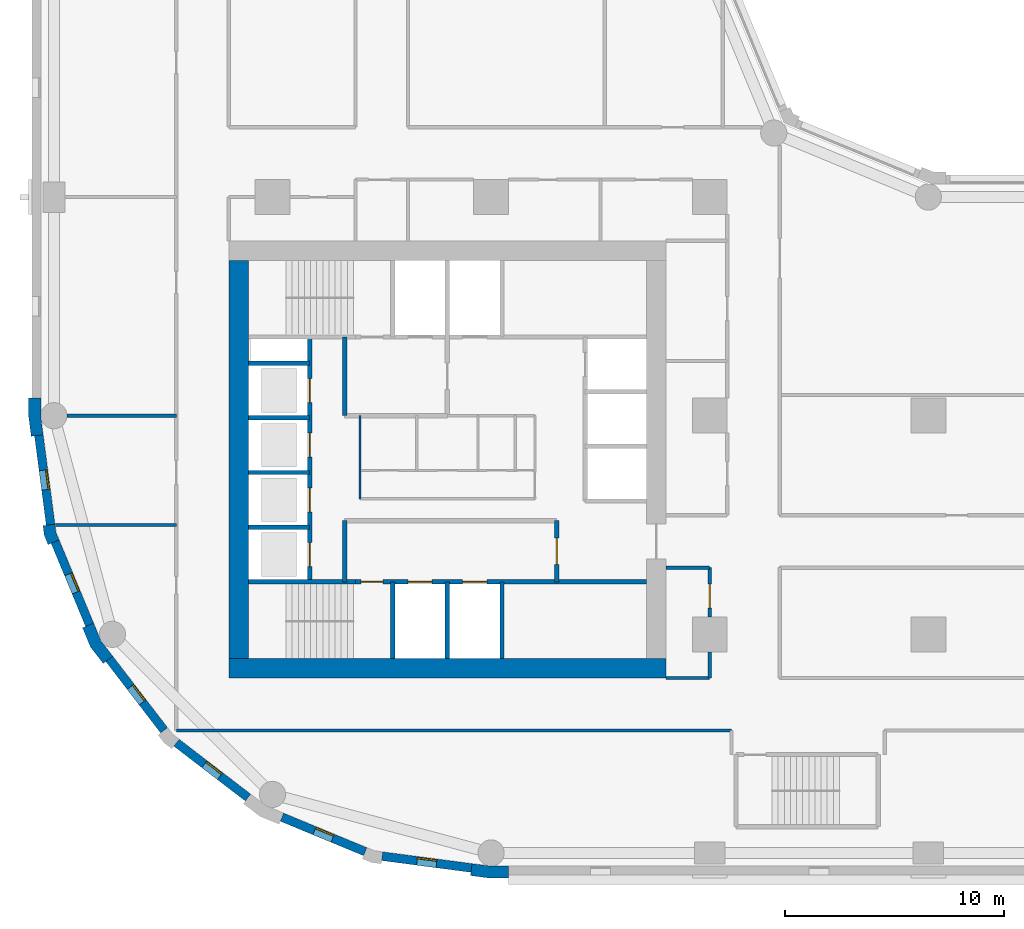
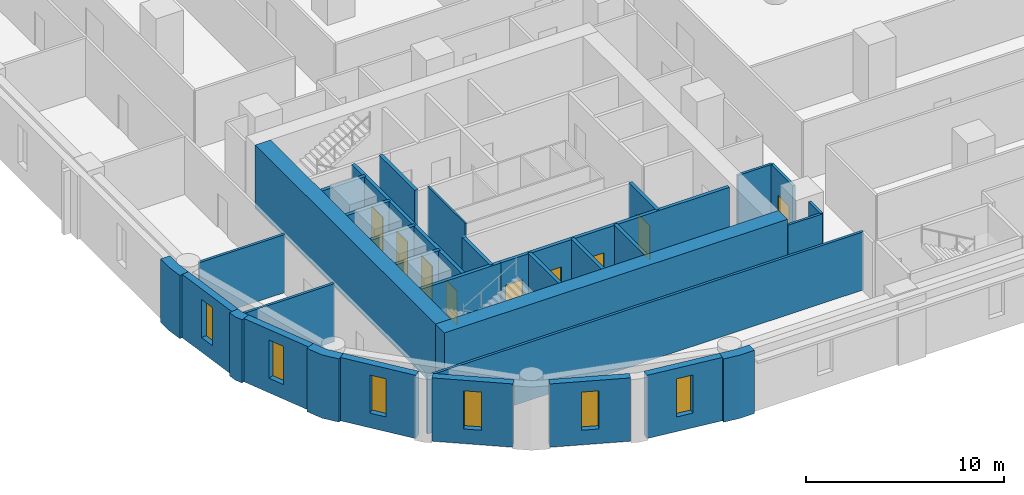
# One storey, part 2 of 10: 33 walls, 9 doors, 6 windows, 15 openings.
"""IFC4 building model written with IfcOpenShell, lengths in metres."""

from ifc_helpers import new_model, si_unit, direction, frame, frame_2d, origin, place, context, subcontext, project, spatial, polyline, rectangle, outline, extrude, material, layer, layer_set, type_object, element, fill, save


model = new_model("IFC4")

# Units and contexts
model_context = context("Model", 3, precision=1e-05, world=origin(), true_north=direction((0.0, 1.0)))
body_context = subcontext(model_context, "Body", "Model", "MODEL_VIEW")
ifc_project = project(units=[si_unit("LENGTHUNIT", "METRE"), si_unit("AREAUNIT", "SQUARE_METRE"), si_unit("VOLUMEUNIT", "CUBIC_METRE"), si_unit("PLANEANGLEUNIT", "RADIAN"), si_unit("MASSUNIT", "GRAM", prefix="KILO")], contexts=[model_context])

# Site, building, storey
site_placement = place(None, origin())
site = spatial("IfcSite", under=ifc_project, at=site_placement, CompositionType="ELEMENT")
building_placement = place(site_placement, origin())
building = spatial("IfcBuilding", under=site, at=building_placement, Name="Qaws Garden Tower", CompositionType="ELEMENT")
storey_placement = place(building_placement, frame((0.0, 0.0, 19.800048828125)))
storey = spatial("IfcBuildingStorey", under=building, at=storey_placement, Name="L04", CompositionType="ELEMENT", Elevation=19.800048828125)

# Wall, opening, window
ifc_material_1 = material(Name="Clay facing brick masonry", Category="masonry")
ifc_layer_1 = layer(ifc_material_1, 0.39990234375)
ifc_layer_set_1 = layer_set([ifc_layer_1], Name="Clay facing brick masonry")
wall_type_1 = type_object("IfcWallType", Name="Brick infill wall 400", PredefinedType="SOLIDWALL", material=ifc_layer_set_1)
wall_1_placement = place(storey_placement, frame((-0.688720703125, 19.102294921875, 0.0), z_axis=(0.0, 0.0, 1.0), x_axis=(0.130514280502, -0.991446429508, 0.0)))
wall_1 = element("IfcWall", 1, at=wall_1_placement, inside=storey, type_object=wall_type_1, Name="E-L04-infill-27", PredefinedType="SOLIDWALL", context=body_context, shape_type="SweptSolid", body=[
    extrude(rectangle(XDim=4.120849609375, YDim=0.39990234375, at=frame_2d((2.060546875, 0.0))), origin(), (0.0, 0.0, 1.0), 3.89990234375),
])
opening_1_placement = place(wall_1_placement, frame((1.610595703125, 0.0, 0.89990234375)))
opening_1 = element("IfcOpeningElement", 2, at=opening_1_placement, cuts=wall_1, Name="Opening W09", PredefinedType="OPENING", context=body_context, shape_type="SweptSolid", body=[
    extrude(rectangle(XDim=0.89990234375, YDim=2.35009765625, at=frame_2d((0.449951171875, 1.175048828125))), frame((0.0, 0.2099609375, 0.0), z_axis=(0.0, -1.0, 0.0), x_axis=(1.0, 0.0, 0.0)), (0.0, 0.0, 1.0), 0.419921875),
])
ifc_material_2 = material(Name="Aluminium framed window, clear glazing", Category="aluminium")
window_type = type_object("IfcWindowType", Name="Slit window 900 x 2350", PartitioningType="SINGLE_PANEL", PredefinedType="WINDOW", material=ifc_material_2)
window_1_placement = place(opening_1_placement, origin())
window_1 = element("IfcWindow", 3, at=window_1_placement, inside=storey, type_object=window_type, Name="E-L04-window-27-0", OverallHeight=2.35009765625, OverallWidth=0.89990234375, PartitioningType="SINGLE_PANEL", PredefinedType="WINDOW", context=body_context, shape_type="SweptSolid", body=[
    extrude(rectangle(XDim=0.89990234375, YDim=2.35009765625, at=frame_2d((0.449951171875, 1.175048828125))), frame((0.0, 0.159912109375, 0.0), z_axis=(0.0, -1.0, 0.0), x_axis=(1.0, 0.0, 0.0)), (0.0, 0.0, 1.0), 0.06005859375),
])
fill(opening_1, window_1)

wall_2_placement = place(storey_placement, frame((0.05712890625, 14.240234375, 0.0), z_axis=(0.0, 0.0, 1.0), x_axis=(0.382721546029, -0.923863744394, 0.0)))
wall_2 = element("IfcWall", 4, at=wall_2_placement, inside=storey, type_object=wall_type_1, Name="E-L04-infill-28", PredefinedType="SOLIDWALL", context=body_context, shape_type="SweptSolid", body=[
    extrude(rectangle(XDim=4.120849609375, YDim=0.39990234375, at=frame_2d((2.060546875, 0.0))), origin(), (0.0, 0.0, 1.0), 3.89990234375),
])
opening_2_placement = place(wall_2_placement, frame((1.610595703125, 0.0, 0.89990234375)))
opening_2 = element("IfcOpeningElement", 5, at=opening_2_placement, cuts=wall_2, Name="Opening W09", PredefinedType="OPENING", context=body_context, shape_type="SweptSolid", body=[
    extrude(rectangle(XDim=0.89990234375, YDim=2.35009765625, at=frame_2d((0.449951171875, 1.175048828125))), frame((0.0, 0.2099609375, 0.0), z_axis=(0.0, -1.0, 0.0), x_axis=(1.0, 0.0, 0.0)), (0.0, 0.0, 1.0), 0.419921875),
])
window_2_placement = place(opening_2_placement, origin())
window_2 = element("IfcWindow", 6, at=window_2_placement, inside=storey, type_object=window_type, Name="E-L04-window-28-0", OverallHeight=2.35009765625, OverallWidth=0.89990234375, PartitioningType="SINGLE_PANEL", PredefinedType="WINDOW", context=body_context, shape_type="SweptSolid", body=[
    extrude(rectangle(XDim=0.89990234375, YDim=2.35009765625, at=frame_2d((0.449951171875, 1.175048828125))), frame((0.0, 0.159912109375, 0.0), z_axis=(0.0, -1.0, 0.0), x_axis=(1.0, 0.0, 0.0)), (0.0, 0.0, 1.0), 0.06005859375),
])
fill(opening_2, window_2)

wall_3_placement = place(storey_placement, frame((2.53173828125, 8.87841796875, 0.0), z_axis=(0.0, 0.0, 1.0), x_axis=(0.608759824817, -0.793354571229, 0.0)))
wall_3 = element("IfcWall", 7, at=wall_3_placement, inside=storey, type_object=wall_type_1, Name="E-L04-infill-29", PredefinedType="SOLIDWALL", context=body_context, shape_type="SweptSolid", body=[
    extrude(rectangle(XDim=4.12109375, YDim=0.39990234375, at=frame_2d((2.060546875, 0.0))), origin(), (0.0, 0.0, 1.0), 3.89990234375),
])
opening_3_placement = place(wall_3_placement, frame((1.610595703125, 0.0, 0.89990234375)))
opening_3 = element("IfcOpeningElement", 8, at=opening_3_placement, cuts=wall_3, Name="Opening W09", PredefinedType="OPENING", context=body_context, shape_type="SweptSolid", body=[
    extrude(rectangle(XDim=0.89990234375, YDim=2.35009765625, at=frame_2d((0.449951171875, 1.175048828125))), frame((0.0, 0.2099609375, 0.0), z_axis=(0.0, -1.0, 0.0), x_axis=(1.0, 0.0, 0.0)), (0.0, 0.0, 1.0), 0.419921875),
])
window_3_placement = place(opening_3_placement, origin())
window_3 = element("IfcWindow", 9, at=window_3_placement, inside=storey, type_object=window_type, Name="E-L04-window-29-0", OverallHeight=2.35009765625, OverallWidth=0.89990234375, PartitioningType="SINGLE_PANEL", PredefinedType="WINDOW", context=body_context, shape_type="SweptSolid", body=[
    extrude(rectangle(XDim=0.89990234375, YDim=2.35009765625, at=frame_2d((0.449951171875, 1.175048828125))), frame((0.0, 0.159912109375, 0.0), z_axis=(0.0, -1.0, 0.0), x_axis=(1.0, 0.0, 0.0)), (0.0, 0.0, 1.0), 0.06005859375),
])
fill(opening_3, window_3)

wall_4_placement = place(storey_placement, frame((5.60888671875, 5.04052734375, 0.0), z_axis=(0.0, 0.0, 1.0), x_axis=(0.793354571229, -0.608759824817, 0.0)))
wall_4 = element("IfcWall", 10, at=wall_4_placement, inside=storey, type_object=wall_type_1, Name="E-L04-infill-30", PredefinedType="SOLIDWALL", context=body_context, shape_type="SweptSolid", body=[
    extrude(rectangle(XDim=4.12109375, YDim=0.39990234375, at=frame_2d((2.060546875, 0.0))), origin(), (0.0, 0.0, 1.0), 3.89990234375),
])
opening_4_placement = place(wall_4_placement, frame((1.610595703125, 0.0, 0.89990234375)))
opening_4 = element("IfcOpeningElement", 11, at=opening_4_placement, cuts=wall_4, Name="Opening W09", PredefinedType="OPENING", context=body_context, shape_type="SweptSolid", body=[
    extrude(rectangle(XDim=0.89990234375, YDim=2.35009765625, at=frame_2d((0.449951171875, 1.175048828125))), frame((0.0, 0.2099609375, 0.0), z_axis=(0.0, -1.0, 0.0), x_axis=(1.0, 0.0, 0.0)), (0.0, 0.0, 1.0), 0.419921875),
])
window_4_placement = place(opening_4_placement, origin())
window_4 = element("IfcWindow", 12, at=window_4_placement, inside=storey, type_object=window_type, Name="E-L04-window-30-0", OverallHeight=2.35009765625, OverallWidth=0.89990234375, PartitioningType="SINGLE_PANEL", PredefinedType="WINDOW", context=body_context, shape_type="SweptSolid", body=[
    extrude(rectangle(XDim=0.89990234375, YDim=2.35009765625, at=frame_2d((0.449951171875, 1.175048828125))), frame((0.0, 0.159912109375, 0.0), z_axis=(0.0, -1.0, 0.0), x_axis=(1.0, 0.0, 0.0)), (0.0, 0.0, 1.0), 0.06005859375),
])
fill(opening_4, window_4)

wall_5_placement = place(storey_placement, frame((10.43310546875, 1.63427734375, 0.0), z_axis=(0.0, 0.0, 1.0), x_axis=(0.923863744394, -0.382721546029, 0.0)))
wall_5 = element("IfcWall", 13, at=wall_5_placement, inside=storey, type_object=wall_type_1, Name="E-L04-infill-31", PredefinedType="SOLIDWALL", context=body_context, shape_type="SweptSolid", body=[
    extrude(rectangle(XDim=4.120849609375, YDim=0.39990234375, at=frame_2d((2.060546875, 0.0))), origin(), (0.0, 0.0, 1.0), 3.89990234375),
])
opening_5_placement = place(wall_5_placement, frame((1.610595703125, 0.0, 0.89990234375)))
opening_5 = element("IfcOpeningElement", 14, at=opening_5_placement, cuts=wall_5, Name="Opening W09", PredefinedType="OPENING", context=body_context, shape_type="SweptSolid", body=[
    extrude(rectangle(XDim=0.89990234375, YDim=2.35009765625, at=frame_2d((0.449951171875, 1.175048828125))), frame((0.0, 0.2099609375, 0.0), z_axis=(0.0, -1.0, 0.0), x_axis=(1.0, 0.0, 0.0)), (0.0, 0.0, 1.0), 0.419921875),
])
window_5_placement = place(opening_5_placement, origin())
window_5 = element("IfcWindow", 15, at=window_5_placement, inside=storey, type_object=window_type, Name="E-L04-window-31-0", OverallHeight=2.35009765625, OverallWidth=0.89990234375, PartitioningType="SINGLE_PANEL", PredefinedType="WINDOW", context=body_context, shape_type="SweptSolid", body=[
    extrude(rectangle(XDim=0.89990234375, YDim=2.35009765625, at=frame_2d((0.449951171875, 1.175048828125))), frame((0.0, 0.159912109375, 0.0), z_axis=(0.0, -1.0, 0.0), x_axis=(1.0, 0.0, 0.0)), (0.0, 0.0, 1.0), 0.06005859375),
])
fill(opening_5, window_5)

wall_6_placement = place(storey_placement, frame((15.0166015625, -0.15087890625, 0.0), z_axis=(0.0, 0.0, 1.0), x_axis=(0.991446429508, -0.130514280502, 0.0)))
wall_6 = element("IfcWall", 16, at=wall_6_placement, inside=storey, type_object=wall_type_1, Name="E-L04-infill-32", PredefinedType="SOLIDWALL", context=body_context, shape_type="SweptSolid", body=[
    extrude(rectangle(XDim=4.120849609375, YDim=0.39990234375, at=frame_2d((2.060546875, 0.0))), origin(), (0.0, 0.0, 1.0), 3.89990234375),
])
opening_6_placement = place(wall_6_placement, frame((1.610595703125, 0.0, 0.89990234375)))
opening_6 = element("IfcOpeningElement", 17, at=opening_6_placement, cuts=wall_6, Name="Opening W09", PredefinedType="OPENING", context=body_context, shape_type="SweptSolid", body=[
    extrude(rectangle(XDim=0.89990234375, YDim=2.35009765625, at=frame_2d((0.449951171875, 1.175048828125))), frame((0.0, 0.2099609375, 0.0), z_axis=(0.0, -1.0, 0.0), x_axis=(1.0, 0.0, 0.0)), (0.0, 0.0, 1.0), 0.419921875),
])
window_6_placement = place(opening_6_placement, origin())
window_6 = element("IfcWindow", 18, at=window_6_placement, inside=storey, type_object=window_type, Name="E-L04-window-32-0", OverallHeight=2.35009765625, OverallWidth=0.89990234375, PartitioningType="SINGLE_PANEL", PredefinedType="WINDOW", context=body_context, shape_type="SweptSolid", body=[
    extrude(rectangle(XDim=0.89990234375, YDim=2.35009765625, at=frame_2d((0.449951171875, 1.175048828125))), frame((0.0, 0.159912109375, 0.0), z_axis=(0.0, -1.0, 0.0), x_axis=(1.0, 0.0, 0.0)), (0.0, 0.0, 1.0), 0.06005859375),
])
fill(opening_6, window_6)

# Walls
ifc_material_3 = material(Name="Clay facing brick masonry", Category="masonry")
ifc_layer_2 = layer(ifc_material_3, 0.550048828125)
ifc_layer_set_2 = layer_set([ifc_layer_2], Name="Clay facing brick masonry")
wall_type_2 = type_object("IfcWallType", Name="Brick kink pier 550 x 600", PredefinedType="SOLIDWALL", material=ifc_layer_set_2)
placement = place(storey_placement, origin())
element("IfcWall", 19, at=placement, inside=storey, type_object=wall_type_2, Name="E-L04-pier-28", PredefinedType="SOLIDWALL", context=body_context, shape_type="SweptSolid", body=[
    extrude(outline(polyline([(-0.34912109375, 14.990478515625), (-0.497802734375, 14.970947265625), (-0.43896484375, 14.5234375), (-0.26611328125, 14.1064453125), (-0.127685546875, 14.163818359375), (0.241943359375, 14.31689453125), (0.096923828125, 14.6669921875), (0.04736328125, 15.042724609375), (-0.34912109375, 14.990478515625)])), origin(), (0.0, 0.0, 1.0), 3.89990234375),
])
ifc_material_4 = material(Name="Clay facing brick masonry", Category="masonry")
ifc_layer_3 = layer(ifc_material_4, 0.550048828125)
ifc_layer_set_3 = layer_set([ifc_layer_3], Name="Clay facing brick masonry")
wall_type_3 = type_object("IfcWallType", Name="Brick pier 550 x 1600", PredefinedType="SOLIDWALL", material=ifc_layer_set_3)
element("IfcWall", 20, at=placement, inside=storey, type_object=wall_type_3, Name="E-L04-pier-00", PredefinedType="SOLIDWALL", context=body_context, shape_type="SweptSolid", body=[
    extrude(outline(polyline([(19.076416015625, -0.886962890625), (19.056640625, -1.03564453125), (19.924560546875, -1.14990234375), (20.800048828125, -1.14990234375), (20.800048828125, -1.0), (20.800048828125, -0.60009765625), (19.960693359375, -0.60009765625), (19.12841796875, -0.490478515625), (19.076416015625, -0.886962890625)])), origin(), (0.0, 0.0, 1.0), 3.89990234375),
])
element("IfcWall", 21, at=placement, inside=storey, type_object=wall_type_3, Name="E-L04-pier-27", PredefinedType="SOLIDWALL", context=body_context, shape_type="SweptSolid", body=[
    extrude(outline(polyline([(-1.0, 20.800048828125), (-1.14990234375, 20.800048828125), (-1.14990234375, 19.924560546875), (-1.03564453125, 19.056640625), (-0.886962890625, 19.076416015625), (-0.490478515625, 19.12841796875), (-0.60009765625, 19.960693359375), (-0.60009765625, 20.800048828125), (-1.0, 20.800048828125)])), origin(), (0.0, 0.0, 1.0), 3.89990234375),
])
element("IfcWall", 22, at=placement, inside=storey, type_object=wall_type_3, Name="E-L04-pier-29", PredefinedType="SOLIDWALL", context=body_context, shape_type="SweptSolid", body=[
    extrude(outline(polyline([(1.449462890625, 10.3564453125), (1.310791015625, 10.299072265625), (1.675048828125, 9.419921875), (2.254150390625, 8.665283203125), (2.373046875, 8.756591796875), (2.6904296875, 9.0), (2.1552734375, 9.697509765625), (1.819091796875, 10.509521484375), (1.449462890625, 10.3564453125)])), origin(), (0.0, 0.0, 1.0), 3.89990234375),
])
ifc_material_5 = material(Name="Plasterboard")
ifc_layer_4 = layer(ifc_material_5, 0.10009765625)
ifc_layer_set_4 = layer_set([ifc_layer_4], Name="Plasterboard")
wall_type_4 = type_object("IfcWallType", Name="Core partition 100", PredefinedType="PARTITIONING", material=ifc_layer_set_4)
wall_11_placement = place(storey_placement, frame((14.0, 16.199951171875, 0.0), z_axis=(0.0, 0.0, 1.0), x_axis=(0.0, 1.0, 0.0)))
element("IfcWall", 23, at=wall_11_placement, inside=storey, type_object=wall_type_4, Name="Core partition", PredefinedType="PARTITIONING", context=body_context, shape_type="SweptSolid", body=[
    extrude(rectangle(XDim=3.800048828125, YDim=0.10009765625, at=frame_2d((1.89990234375, 0.0))), origin(), (0.0, 0.0, 1.0), 3.579833984375),
])
ifc_material_6 = material(Name="Concrete C80", Category="concrete")
ifc_layer_5 = layer(ifc_material_6, 0.199951171875)
ifc_layer_set_5 = layer_set([ifc_layer_5], Name="Concrete C80")
wall_type_5 = type_object("IfcWallType", Name="Core shaft wall 200 C80", PredefinedType="SHEAR", material=ifc_layer_set_5)
wall_12_placement = place(storey_placement, frame((8.89990234375, 12.39990234375, 0.0), z_axis=(0.0, 0.0, 1.0), x_axis=(1.0, 0.0, 0.0)))
element("IfcWall", 24, at=wall_12_placement, inside=storey, type_object=wall_type_5, Name="Shaft wall", PredefinedType="SHEAR", context=body_context, shape_type="SweptSolid", body=[
    extrude(rectangle(XDim=4.900146484375, YDim=0.199951171875, at=frame_2d((2.4501953125, 0.0))), origin(), (0.0, 0.0, 1.0), 3.579833984375),
])

# Wall, openings, doors
wall_13_placement = place(storey_placement, frame((13.800048828125, 12.39990234375, 0.0), z_axis=(0.0, 0.0, 1.0), x_axis=(1.0, 0.0, 0.0)))
wall_13 = element("IfcWall", 25, at=wall_13_placement, inside=storey, type_object=wall_type_5, Name="Shaft wall", PredefinedType="SHEAR", context=body_context, shape_type="SweptSolid", body=[
    extrude(rectangle(XDim=13.300048828125, YDim=0.199951171875, at=frame_2d((6.64990234375, 0.0))), origin(), (0.0, 0.0, 1.0), 3.579833984375),
])
opening_7_placement = place(wall_13_placement, frame((2.39990234375, 0.0, 0.0)))
opening_7 = element("IfcOpeningElement", 26, at=opening_7_placement, cuts=wall_13, Name="Opening LD06", PredefinedType="OPENING", context=body_context, shape_type="SweptSolid", body=[
    extrude(rectangle(XDim=1.10009765625, YDim=2.10009765625, at=frame_2d((0.550048828125, 1.050048828125))), frame((0.0, 0.10986328125, 0.0), z_axis=(0.0, -1.0, 0.0), x_axis=(1.0, 0.0, 0.0)), (0.0, 0.0, 1.0), 0.219970703125),
])
opening_8_placement = place(wall_13_placement, frame((4.89990234375, 0.0, 0.0)))
opening_8 = element("IfcOpeningElement", 27, at=opening_8_placement, cuts=wall_13, Name="Opening LD07", PredefinedType="OPENING", context=body_context, shape_type="SweptSolid", body=[
    extrude(rectangle(XDim=1.10009765625, YDim=2.10009765625, at=frame_2d((0.550048828125, 1.050048828125))), frame((0.0, 0.10986328125, 0.0), z_axis=(0.0, -1.0, 0.0), x_axis=(1.0, 0.0, 0.0)), (0.0, 0.0, 1.0), 0.219970703125),
])
opening_9_placement = place(wall_13_placement, frame((0.25, 0.0, 0.0)))
opening_9 = element("IfcOpeningElement", 28, at=opening_9_placement, cuts=wall_13, Name="Opening SD10", PredefinedType="OPENING", context=body_context, shape_type="SweptSolid", body=[
    extrude(rectangle(XDim=1.0, YDim=2.10009765625, at=frame_2d((0.5, 1.050048828125))), frame((0.0, 0.10986328125, 0.0), z_axis=(0.0, -1.0, 0.0), x_axis=(1.0, 0.0, 0.0)), (0.0, 0.0, 1.0), 0.219970703125),
])
ifc_material_7 = material(Name="Steel S235", Category="steel")
door_type_1 = type_object("IfcDoorType", Name="Landing door 1100x2100", OperationType="DOUBLE_DOOR_SLIDING", PredefinedType="DOOR", material=ifc_material_7)
door_1_placement = place(opening_7_placement, origin())
door_1 = element("IfcDoor", 29, at=door_1_placement, inside=storey, type_object=door_type_1, Name="Lift FF1 landing door", OperationType="DOUBLE_DOOR_SLIDING", OverallHeight=2.10009765625, OverallWidth=1.10009765625, PredefinedType="DOOR", context=body_context, shape_type="SweptSolid", body=[
    extrude(rectangle(XDim=1.10009765625, YDim=2.10009765625, at=frame_2d((0.550048828125, 1.050048828125))), frame((0.0, 0.02490234375, 0.0), z_axis=(0.0, -1.0, 0.0), x_axis=(1.0, 0.0, 0.0)), (0.0, 0.0, 1.0), 0.050048828125),
])
fill(opening_7, door_1)
door_2_placement = place(opening_8_placement, origin())
door_2 = element("IfcDoor", 30, at=door_2_placement, inside=storey, type_object=door_type_1, Name="Lift FF2 landing door", OperationType="DOUBLE_DOOR_SLIDING", OverallHeight=2.10009765625, OverallWidth=1.10009765625, PredefinedType="DOOR", context=body_context, shape_type="SweptSolid", body=[
    extrude(rectangle(XDim=1.10009765625, YDim=2.10009765625, at=frame_2d((0.550048828125, 1.050048828125))), frame((0.0, 0.02490234375, 0.0), z_axis=(0.0, -1.0, 0.0), x_axis=(1.0, 0.0, 0.0)), (0.0, 0.0, 1.0), 0.050048828125),
])
fill(opening_8, door_2)
ifc_material_8 = material(Name="Steel S235", Category="steel")
door_type_2 = type_object("IfcDoorType", Name="Stair door 1000x2100", OperationType="SINGLE_SWING_RIGHT", PredefinedType="DOOR", material=ifc_material_8)
door_3_placement = place(opening_9_placement, frame((1.0, 0.0, 0.0), z_axis=(0.0, 0.0, 1.0), x_axis=(-1.0, 0.0, 0.0)))
door_3 = element("IfcDoor", 31, at=door_3_placement, inside=storey, type_object=door_type_2, Name="Stair 1 door", OperationType="SINGLE_SWING_LEFT", OverallHeight=2.10009765625, OverallWidth=1.0, PredefinedType="DOOR", context=body_context, shape_type="SweptSolid", body=[
    extrude(rectangle(XDim=1.0, YDim=2.10009765625, at=frame_2d((0.5, 1.050048828125))), frame((0.0, 0.02490234375, 0.0), z_axis=(0.0, -1.0, 0.0), x_axis=(1.0, 0.0, 0.0)), (0.0, 0.0, 1.0), 0.050048828125),
])
fill(opening_9, door_3)

# Walls
for number, where, z_axis, x_axis, name in (
    (32, (8.89990234375, 14.89990234375, 0.0), (0.0, 0.0, 1.0), (1.0, 0.0, 0.0), "Shaft wall"),
    (33, (8.89990234375, 17.39990234375, 0.0), (0.0, 0.0, 1.0), (1.0, 0.0, 0.0), "Shaft wall"),
    (34, (8.89990234375, 19.89990234375, 0.0), (0.0, 0.0, 1.0), (1.0, 0.0, 0.0), "Shaft wall"),
    (35, (8.89990234375, 22.39990234375, 0.0), (0.0, 0.0, 1.0), (1.0, 0.0, 0.0), "Shaft wall"),
):
    element("IfcWall", number, at=place(storey_placement, frame(where, z_axis=z_axis, x_axis=x_axis)), inside=storey, type_object=wall_type_5, Name=name, PredefinedType="SHEAR", context=body_context, shape_type="SweptSolid", body=[
        extrude(rectangle(XDim=2.800048828125, YDim=0.199951171875, at=frame_2d((1.39990234375, 0.0))), origin(), (0.0, 0.0, 1.0), 3.579833984375),
    ])

# Wall, openings, doors
wall_14_placement = place(storey_placement, frame((11.699951171875, 12.39990234375, 0.0), z_axis=(0.0, 0.0, 1.0), x_axis=(0.0, 1.0, 0.0)))
wall_14 = element("IfcWall", 36, at=wall_14_placement, inside=storey, type_object=wall_type_5, Name="Shaft wall", PredefinedType="SHEAR", context=body_context, shape_type="SweptSolid", body=[
    extrude(rectangle(XDim=11.2001953125, YDim=0.199951171875, at=frame_2d((5.60009765625, 0.0))), origin(), (0.0, 0.0, 1.0), 3.579833984375),
])
opening_10_placement = place(wall_14_placement, frame((0.699951171875, 0.0, 0.0)))
opening_10 = element("IfcOpeningElement", 37, at=opening_10_placement, cuts=wall_14, Name="Opening LD01", PredefinedType="OPENING", context=body_context, shape_type="SweptSolid", body=[
    extrude(rectangle(XDim=1.10009765625, YDim=2.10009765625, at=frame_2d((0.550048828125, 1.050048828125))), frame((0.0, 0.10986328125, 0.0), z_axis=(0.0, -1.0, 0.0), x_axis=(1.0, 0.0, 0.0)), (0.0, 0.0, 1.0), 0.219970703125),
])
opening_11_placement = place(wall_14_placement, frame((3.199951171875, 0.0, 0.0)))
opening_11 = element("IfcOpeningElement", 38, at=opening_11_placement, cuts=wall_14, Name="Opening LD02", PredefinedType="OPENING", context=body_context, shape_type="SweptSolid", body=[
    extrude(rectangle(XDim=1.10009765625, YDim=2.10009765625, at=frame_2d((0.550048828125, 1.050048828125))), frame((0.0, 0.10986328125, 0.0), z_axis=(0.0, -1.0, 0.0), x_axis=(1.0, 0.0, 0.0)), (0.0, 0.0, 1.0), 0.219970703125),
])
opening_12_placement = place(wall_14_placement, frame((5.699951171875, 0.0, 0.0)))
opening_12 = element("IfcOpeningElement", 39, at=opening_12_placement, cuts=wall_14, Name="Opening LD03", PredefinedType="OPENING", context=body_context, shape_type="SweptSolid", body=[
    extrude(rectangle(XDim=1.10009765625, YDim=2.10009765625, at=frame_2d((0.550048828125, 1.050048828125))), frame((0.0, 0.10986328125, 0.0), z_axis=(0.0, -1.0, 0.0), x_axis=(1.0, 0.0, 0.0)), (0.0, 0.0, 1.0), 0.219970703125),
])
opening_13_placement = place(wall_14_placement, frame((8.199951171875, 0.0, 0.0)))
opening_13 = element("IfcOpeningElement", 40, at=opening_13_placement, cuts=wall_14, Name="Opening LD04", PredefinedType="OPENING", context=body_context, shape_type="SweptSolid", body=[
    extrude(rectangle(XDim=1.10009765625, YDim=2.10009765625, at=frame_2d((0.550048828125, 1.050048828125))), frame((0.0, 0.10986328125, 0.0), z_axis=(0.0, -1.0, 0.0), x_axis=(1.0, 0.0, 0.0)), (0.0, 0.0, 1.0), 0.219970703125),
])
door_4_placement = place(opening_10_placement, origin())
door_4 = element("IfcDoor", 41, at=door_4_placement, inside=storey, type_object=door_type_1, Name="Lift W1 landing door", OperationType="DOUBLE_DOOR_SLIDING", OverallHeight=2.10009765625, OverallWidth=1.10009765625, PredefinedType="DOOR", context=body_context, shape_type="SweptSolid", body=[
    extrude(rectangle(XDim=1.10009765625, YDim=2.10009765625, at=frame_2d((0.550048828125, 1.050048828125))), frame((0.0, 0.02490234375, 0.0), z_axis=(0.0, -1.0, 0.0), x_axis=(1.0, 0.0, 0.0)), (0.0, 0.0, 1.0), 0.050048828125),
])
fill(opening_10, door_4)
door_5_placement = place(opening_11_placement, origin())
door_5 = element("IfcDoor", 42, at=door_5_placement, inside=storey, type_object=door_type_1, Name="Lift W2 landing door", OperationType="DOUBLE_DOOR_SLIDING", OverallHeight=2.10009765625, OverallWidth=1.10009765625, PredefinedType="DOOR", context=body_context, shape_type="SweptSolid", body=[
    extrude(rectangle(XDim=1.10009765625, YDim=2.10009765625, at=frame_2d((0.550048828125, 1.050048828125))), frame((0.0, 0.02490234375, 0.0), z_axis=(0.0, -1.0, 0.0), x_axis=(1.0, 0.0, 0.0)), (0.0, 0.0, 1.0), 0.050048828125),
])
fill(opening_11, door_5)
door_6_placement = place(opening_12_placement, origin())
door_6 = element("IfcDoor", 43, at=door_6_placement, inside=storey, type_object=door_type_1, Name="Lift W3 landing door", OperationType="DOUBLE_DOOR_SLIDING", OverallHeight=2.10009765625, OverallWidth=1.10009765625, PredefinedType="DOOR", context=body_context, shape_type="SweptSolid", body=[
    extrude(rectangle(XDim=1.10009765625, YDim=2.10009765625, at=frame_2d((0.550048828125, 1.050048828125))), frame((0.0, 0.02490234375, 0.0), z_axis=(0.0, -1.0, 0.0), x_axis=(1.0, 0.0, 0.0)), (0.0, 0.0, 1.0), 0.050048828125),
])
fill(opening_12, door_6)
door_7_placement = place(opening_13_placement, origin())
door_7 = element("IfcDoor", 44, at=door_7_placement, inside=storey, type_object=door_type_1, Name="Lift W4 landing door", OperationType="DOUBLE_DOOR_SLIDING", OverallHeight=2.10009765625, OverallWidth=1.10009765625, PredefinedType="DOOR", context=body_context, shape_type="SweptSolid", body=[
    extrude(rectangle(XDim=1.10009765625, YDim=2.10009765625, at=frame_2d((0.550048828125, 1.050048828125))), frame((0.0, 0.02490234375, 0.0), z_axis=(0.0, -1.0, 0.0), x_axis=(1.0, 0.0, 0.0)), (0.0, 0.0, 1.0), 0.050048828125),
])
fill(opening_13, door_7)

# Walls
wall_15_placement = place(storey_placement, frame((13.300048828125, 12.39990234375, 0.0), z_axis=(0.0, 0.0, 1.0), x_axis=(0.0, 1.0, 0.0)))
element("IfcWall", 45, at=wall_15_placement, inside=storey, type_object=wall_type_5, Name="Shaft wall", PredefinedType="SHEAR", context=body_context, shape_type="SweptSolid", body=[
    extrude(rectangle(XDim=2.800048828125, YDim=0.199951171875, at=frame_2d((1.39990234375, 0.0))), origin(), (0.0, 0.0, 1.0), 3.579833984375),
])
wall_16_placement = place(storey_placement, frame((13.300048828125, 20.0, 0.0), z_axis=(0.0, 0.0, 1.0), x_axis=(0.0, 1.0, 0.0)))
element("IfcWall", 46, at=wall_16_placement, inside=storey, type_object=wall_type_5, Name="Shaft wall", PredefinedType="SHEAR", context=body_context, shape_type="SweptSolid", body=[
    extrude(rectangle(XDim=3.60009765625, YDim=0.199951171875, at=frame_2d((1.800048828125, 0.0))), origin(), (0.0, 0.0, 1.0), 3.579833984375),
])
for number, where, z_axis, x_axis, name in (
    (47, (15.5, 8.89990234375, 0.0), (0.0, 0.0, 1.0), (0.0, 1.0, 0.0), "Shaft wall"),
    (48, (18.0, 8.89990234375, 0.0), (0.0, 0.0, 1.0), (0.0, 1.0, 0.0), "Shaft wall"),
    (49, (20.5, 8.89990234375, 0.0), (0.0, 0.0, 1.0), (0.0, 1.0, 0.0), "Shaft wall"),
):
    element("IfcWall", number, at=place(storey_placement, frame(where, z_axis=z_axis, x_axis=x_axis)), inside=storey, type_object=wall_type_5, Name=name, PredefinedType="SHEAR", context=body_context, shape_type="SweptSolid", body=[
        extrude(rectangle(XDim=3.5, YDim=0.199951171875, at=frame_2d((1.75, 0.0))), origin(), (0.0, 0.0, 1.0), 3.579833984375),
    ])

# Wall, opening, door
wall_17_placement = place(storey_placement, frame((23.0, 12.39990234375, 0.0), z_axis=(0.0, 0.0, 1.0), x_axis=(0.0, 1.0, 0.0)))
wall_17 = element("IfcWall", 50, at=wall_17_placement, inside=storey, type_object=wall_type_5, Name="Shaft wall", PredefinedType="SHEAR", context=body_context, shape_type="SweptSolid", body=[
    extrude(rectangle(XDim=2.800048828125, YDim=0.199951171875, at=frame_2d((1.39990234375, 0.0))), origin(), (0.0, 0.0, 1.0), 3.579833984375),
])
opening_14_placement = place(wall_17_placement, frame((0.800048828125, 0.0, 0.0)))
opening_14 = element("IfcOpeningElement", 51, at=opening_14_placement, cuts=wall_17, Name="Opening FD15", PredefinedType="OPENING", context=body_context, shape_type="SweptSolid", body=[
    extrude(rectangle(XDim=1.199951171875, YDim=2.10009765625, at=frame_2d((0.60009765625, 1.050048828125))), frame((0.0, 0.10986328125, 0.0), z_axis=(0.0, -1.0, 0.0), x_axis=(1.0, 0.0, 0.0)), (0.0, 0.0, 1.0), 0.219970703125),
])
ifc_material_9 = material(Name="Steel S235", Category="steel")
door_type_3 = type_object("IfcDoorType", Name="Lobby door 1200x2100", OperationType="DOUBLE_DOOR_SINGLE_SWING", PredefinedType="DOOR", material=ifc_material_9)
door_8_placement = place(opening_14_placement, origin())
door_8 = element("IfcDoor", 52, at=door_8_placement, inside=storey, type_object=door_type_3, Name="Fire-fighting lobby door", OperationType="DOUBLE_DOOR_SINGLE_SWING", OverallHeight=2.10009765625, OverallWidth=1.199951171875, PredefinedType="DOOR", context=body_context, shape_type="SweptSolid", body=[
    extrude(rectangle(XDim=1.199951171875, YDim=2.10009765625, at=frame_2d((0.60009765625, 1.050048828125))), frame((0.0, 0.02490234375, 0.0), z_axis=(0.0, -1.0, 0.0), x_axis=(1.0, 0.0, 0.0)), (0.0, 0.0, 1.0), 0.050048828125),
])
fill(opening_14, door_8)

# Walls
ifc_material_10 = material(Name="Concrete C80", Category="concrete")
ifc_layer_6 = layer(ifc_material_10, 0.89990234375)
ifc_layer_set_6 = layer_set([ifc_layer_6], Name="Concrete C80")
wall_type_6 = type_object("IfcWallType", Name="Core wall 900 C80", PredefinedType="SHEAR", material=ifc_layer_set_6)
wall_18_placement = place(storey_placement, frame((8.0, 8.449951171875, 0.0), z_axis=(0.0, 0.0, 1.0), x_axis=(1.0, 0.0, 0.0)))
element("IfcWall", 53, at=wall_18_placement, inside=storey, type_object=wall_type_6, Name="Core wall L04 south", PredefinedType="SHEAR", context=body_context, shape_type="SweptSolid", body=[
    extrude(rectangle(XDim=20.0, YDim=0.89990234375, at=frame_2d((10.0, 0.0))), origin(), (0.0, 0.0, 1.0), 3.89990234375),
])
wall_19_placement = place(storey_placement, frame((8.449951171875, 27.10009765625, 0.0), z_axis=(0.0, 0.0, 1.0), x_axis=(0.0, -1.0, 0.0)))
element("IfcWall", 54, at=wall_19_placement, inside=storey, type_object=wall_type_6, Name="Core wall L04 west", PredefinedType="SHEAR", context=body_context, shape_type="SweptSolid", body=[
    extrude(rectangle(XDim=18.2001953125, YDim=0.89990234375, at=frame_2d((9.10009765625, 0.0))), origin(), (0.0, 0.0, 1.0), 3.89990234375),
])
ifc_material_11 = material(Name="Gypsum board partition")
ifc_layer_7 = layer(ifc_material_11, 0.14990234375)
ifc_layer_set_7 = layer_set([ifc_layer_7], Name="Gypsum board partition")
wall_type_7 = type_object("IfcWallType", Name="PARTITION 150 EI 60", PredefinedType="PARTITIONING", material=ifc_layer_set_7)
wall_20_placement = place(storey_placement, frame((30.0, 8.0, 0.0), z_axis=(0.0, 0.0, 1.0), x_axis=(0.0, 1.0, 0.0)))
element("IfcWall", 55, at=wall_20_placement, inside=storey, type_object=wall_type_7, Name="O-L04-wall-014", PredefinedType="PARTITIONING", context=body_context, shape_type="SweptSolid", body=[
    extrude(rectangle(XDim=1.199951171875, YDim=0.14990234375, at=frame_2d((0.60009765625, 0.0))), origin(), (0.0, 0.0, 1.0), 3.579833984375),
])

# Wall, opening, door
wall_21_placement = place(storey_placement, frame((30.0, 10.800048828125, 0.0), z_axis=(0.0, 0.0, 1.0), x_axis=(0.0, 1.0, 0.0)))
wall_21 = element("IfcWall", 56, at=wall_21_placement, inside=storey, type_object=wall_type_7, Name="O-L04-wall-015", PredefinedType="PARTITIONING", context=body_context, shape_type="SweptSolid", body=[
    extrude(rectangle(XDim=2.25, YDim=0.14990234375, at=frame_2d((1.125, 0.0))), origin(), (0.0, 0.0, 1.0), 3.579833984375),
])
opening_15_placement = place(wall_21_placement, frame((0.39990234375, 0.0, 0.0)))
opening_15 = element("IfcOpeningElement", 57, at=opening_15_placement, cuts=wall_21, Name="Opening A104", PredefinedType="OPENING", context=body_context, shape_type="SweptSolid", body=[
    extrude(rectangle(XDim=1.10009765625, YDim=2.10009765625, at=frame_2d((0.550048828125, 1.050048828125))), frame((0.0, 0.0849609375, 0.0), z_axis=(0.0, -1.0, 0.0), x_axis=(1.0, 0.0, 0.0)), (0.0, 0.0, 1.0), 0.169921875),
])
ifc_material_12 = material(Name="Timber door leaf", Category="wood")
door_type_4 = type_object("IfcDoorType", Name="SERVICE ROOM DOOR 1100 X 2100", OperationType="SINGLE_SWING_LEFT", PredefinedType="DOOR", material=ifc_material_12)
door_9_placement = place(opening_15_placement, origin())
door_9 = element("IfcDoor", 58, at=door_9_placement, inside=storey, type_object=door_type_4, Name="O-L04-door-004", OperationType="SINGLE_SWING_LEFT", OverallHeight=2.10009765625, OverallWidth=1.10009765625, PredefinedType="DOOR", context=body_context, shape_type="SweptSolid", body=[
    extrude(rectangle(XDim=1.10009765625, YDim=2.10009765625, at=frame_2d((0.550048828125, 1.050048828125))), frame((0.0, 0.02490234375, 0.0), z_axis=(0.0, -1.0, 0.0), x_axis=(1.0, 0.0, 0.0)), (0.0, 0.0, 1.0), 0.050048828125),
])
fill(opening_15, door_9)

# Walls
wall_22_placement = place(storey_placement, frame((5.60009765625, 5.60009765625, 0.0), z_axis=(0.0, 0.0, 1.0), x_axis=(1.0, 0.0, 0.0)))
element("IfcWall", 59, at=wall_22_placement, inside=storey, type_object=wall_type_7, Name="O-L04-wall-028", PredefinedType="PARTITIONING", context=body_context, shape_type="SweptSolid", body=[
    extrude(rectangle(XDim=25.39990234375, YDim=0.14990234375, at=frame_2d((12.699951171875, 0.0))), origin(), (0.0, 0.0, 1.0), 3.579833984375),
])
for number, where, z_axis, x_axis, name in (
    (60, (28.0, 8.0, 0.0), (0.0, 0.0, 1.0), (1.0, 0.0, 0.0), "O-L04-wall-030"),
    (61, (28.0, 13.050048828125, 0.0), (0.0, 0.0, 1.0), (1.0, 0.0, 0.0), "O-L04-wall-032"),
):
    element("IfcWall", number, at=place(storey_placement, frame(where, z_axis=z_axis, x_axis=x_axis)), inside=storey, type_object=wall_type_7, Name=name, PredefinedType="PARTITIONING", context=body_context, shape_type="SweptSolid", body=[
        extrude(rectangle(XDim=2.0, YDim=0.14990234375, at=frame_2d((1.0, 0.0))), origin(), (0.0, 0.0, 1.0), 3.579833984375),
    ])
wall_23_placement = place(storey_placement, frame((0.06298828125, 15.0, 0.0), z_axis=(0.0, 0.0, 1.0), x_axis=(1.0, 0.0, 0.0)))
element("IfcWall", 62, at=wall_23_placement, inside=storey, type_object=wall_type_7, Name="O-L04-wall-034", PredefinedType="PARTITIONING", context=body_context, shape_type="SweptSolid", body=[
    extrude(rectangle(XDim=5.537109375, YDim=0.14990234375, at=frame_2d((2.7685546875, 0.0))), origin(), (0.0, 0.0, 1.0), 3.579833984375),
])
wall_24_placement = place(storey_placement, frame((0.60009765625, 20.0, 0.0), z_axis=(0.0, 0.0, 1.0), x_axis=(1.0, 0.0, 0.0)))
element("IfcWall", 63, at=wall_24_placement, inside=storey, type_object=wall_type_7, Name="O-L04-wall-037", PredefinedType="PARTITIONING", context=body_context, shape_type="SweptSolid", body=[
    extrude(rectangle(XDim=5.0, YDim=0.14990234375, at=frame_2d((2.5, 0.0))), origin(), (0.0, 0.0, 1.0), 3.579833984375),
])

save(model, "model.ifc")
